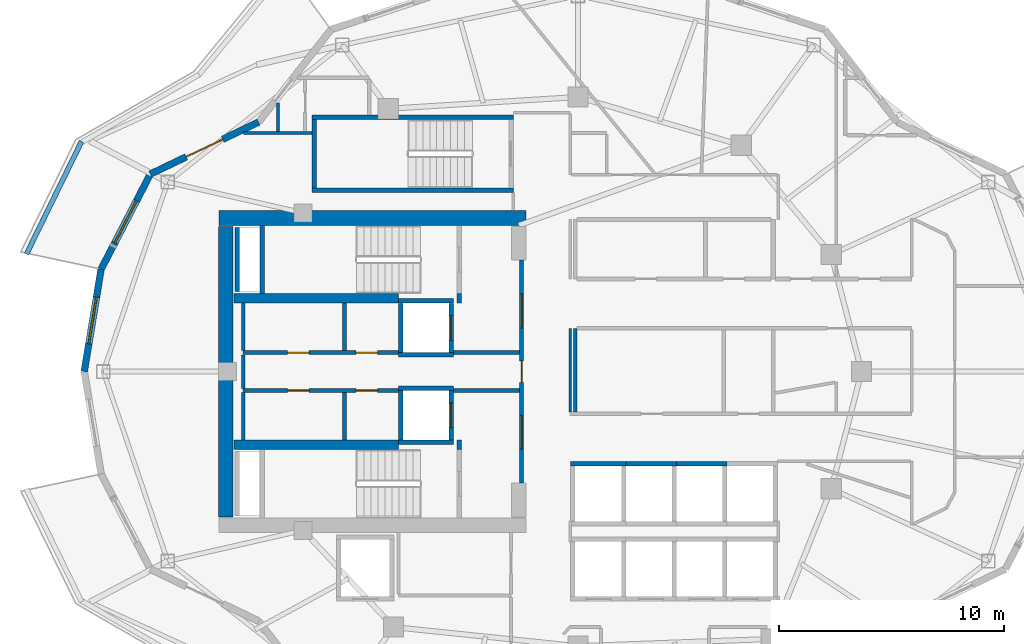
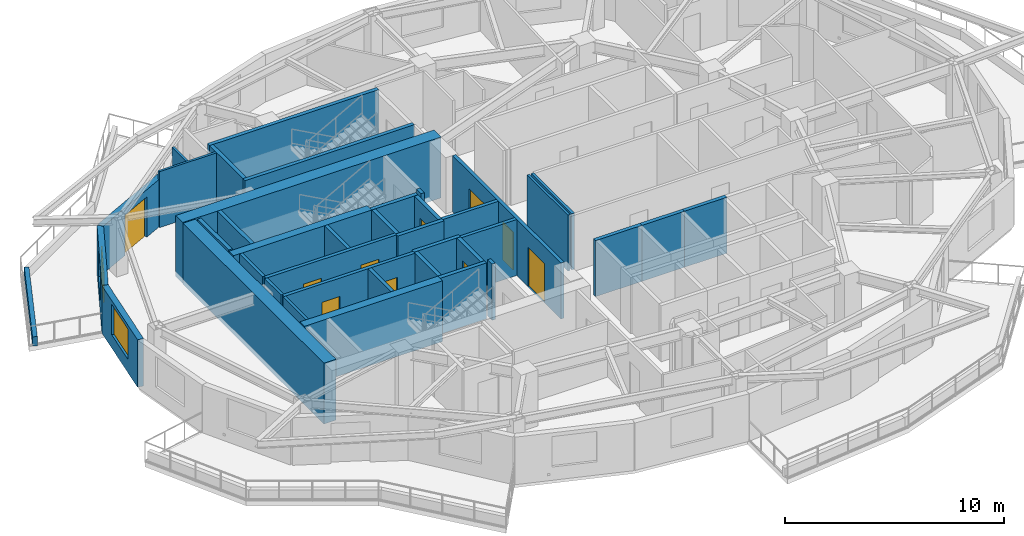
# One storey, part 4 of 12: 40 walls, 10 doors, 2 windows, 12 openings.
"""IFC4 building model written with IfcOpenShell, lengths in metres."""

from ifc_helpers import new_model, si_unit, direction, frame, frame_2d, origin, place, context, subcontext, project, spatial, rectangle, extrude, material, layer, layer_set, type_object, element, fill, save


model = new_model("IFC4")

# Units and contexts
model_context = context("Model", 3, precision=1e-05, world=origin(), true_north=direction((0.0, 1.0)))
body_context = subcontext(model_context, "Body", "Model", "MODEL_VIEW")
ifc_project = project(units=[si_unit("LENGTHUNIT", "METRE"), si_unit("AREAUNIT", "SQUARE_METRE"), si_unit("VOLUMEUNIT", "CUBIC_METRE"), si_unit("PLANEANGLEUNIT", "RADIAN"), si_unit("MASSUNIT", "GRAM", prefix="KILO")], contexts=[model_context])

# Site, building, storey
site_placement = place(None, origin())
site = spatial("IfcSite", under=ifc_project, at=site_placement, CompositionType="ELEMENT")
building_placement = place(site_placement, origin())
building = spatial("IfcBuilding", under=site, at=building_placement, Name="Kolvaren Gate Tower and Convention Centre", CompositionType="ELEMENT")
storey_placement = place(building_placement, frame((0.0, 0.0, 180.10009765625)))
storey = spatial("IfcBuildingStorey", under=building, at=storey_placement, Name="L47", CompositionType="ELEMENT", Elevation=180.10009765625)

# Walls
ifc_material_1 = material(Name="Autoclaved Aerated Masonry Blockwork Class 4 (4.0 MPa)", Category="masonry")
ifc_layer_1 = layer(ifc_material_1, 0.179931640625)
ifc_layer_set_1 = layer_set([ifc_layer_1], Name="Autoclaved Aerated Masonry Blockwork Class 4 (4.0 MPa)")
wall_type_1 = type_object("IfcWallType", Name="ARCH-WL-COMP-180", PredefinedType="SOLIDWALL", material=ifc_layer_set_1)
for number, where, z_axis, x_axis, name in (
    (1, (24.85009765625, 23.5400390625, 0.0), (0.0, 0.0, 1.0), (0.0, 1.0, 0.0), "Interior Partition WL-L47-INT-001"),
    (2, (24.85009765625, 30.0400390625, 0.0), (0.0, 0.0, 1.0), (0.0, 1.0, 0.0), "Interior Partition WL-L47-INT-002"),
):
    element("IfcWall", number, at=place(storey_placement, frame(where, z_axis=z_axis, x_axis=x_axis)), inside=storey, type_object=wall_type_1, Name=name, PredefinedType="SOLIDWALL", context=body_context, shape_type="SweptSolid", body=[
        extrude(rectangle(XDim=0.419921875, YDim=0.179931640625, at=frame_2d((0.2099609375, 0.0))), origin(), (0.0, 0.0, 1.0), 3.1298828125),
    ])

# Wall, openings, doors
wall_1_placement = place(storey_placement, frame((27.6201171875, 22.050048828125, 0.0), z_axis=(0.0, 0.0, 1.0), x_axis=(0.0, 1.0, 0.0)))
wall_1 = element("IfcWall", 3, at=wall_1_placement, inside=storey, type_object=wall_type_1, Name="Interior Partition WL-L47-INT-003", PredefinedType="SOLIDWALL", context=body_context, shape_type="SweptSolid", body=[
    extrude(rectangle(XDim=9.89990234375, YDim=0.179931640625, at=frame_2d((4.949951171875, 0.0))), origin(), (0.0, 0.0, 1.0), 3.1298828125),
])
opening_1_placement = place(wall_1_placement, frame((4.47509765625, 0.0, 0.0)))
opening_1 = element("IfcOpeningElement", 4, at=opening_1_placement, cuts=wall_1, Name="Opening DR-01", PredefinedType="OPENING", context=body_context, shape_type="SweptSolid", body=[
    extrude(rectangle(XDim=0.949951171875, YDim=2.10009765625, at=frame_2d((0.47509765625, 1.050048828125))), frame((0.0, 0.099853515625, 0.0), z_axis=(0.0, -1.0, 0.0), x_axis=(1.0, 0.0, 0.0)), (0.0, 0.0, 1.0), 0.199951171875),
])
opening_2_placement = place(wall_1_placement, frame((6.889892578125, 0.0, 0.0)))
opening_2 = element("IfcOpeningElement", 5, at=opening_2_placement, cuts=wall_1, Name="Opening DL-01", PredefinedType="OPENING", context=body_context, shape_type="SweptSolid", body=[
    extrude(rectangle(XDim=1.5, YDim=2.199951171875, at=frame_2d((0.75, 1.10009765625))), frame((0.0, 0.099853515625, 0.0), z_axis=(0.0, -1.0, 0.0), x_axis=(1.0, 0.0, 0.0)), (0.0, 0.0, 1.0), 0.199951171875),
])
opening_3_placement = place(wall_1_placement, frame((1.510009765625, 0.0, 0.0)))
opening_3 = element("IfcOpeningElement", 6, at=opening_3_placement, cuts=wall_1, Name="Opening DL-01", PredefinedType="OPENING", context=body_context, shape_type="SweptSolid", body=[
    extrude(rectangle(XDim=1.5, YDim=2.199951171875, at=frame_2d((0.75, 1.10009765625))), frame((0.0, 0.099853515625, 0.0), z_axis=(0.0, -1.0, 0.0), x_axis=(1.0, 0.0, 0.0)), (0.0, 0.0, 1.0), 0.199951171875),
])
ifc_material_2 = material(Name="Painted Architectural Steelwork ASTM A500 Grade C 345 MPa", Category="steel")
door_type_1 = type_object("IfcDoorType", Name="ARCH-DR-LOBBY-1500", OperationType="DOUBLE_DOOR_SINGLE_SWING", PredefinedType="DOOR", material=ifc_material_2)
door_1_placement = place(opening_2_placement, origin())
door_1 = element("IfcDoor", 7, at=door_1_placement, inside=storey, type_object=door_type_1, Name="North Firefighting Stair and Lift Lobby Door", OperationType="DOUBLE_DOOR_SINGLE_SWING", OverallHeight=2.199951171875, OverallWidth=1.5, PredefinedType="DOOR", context=body_context, shape_type="SweptSolid", body=[
    extrude(rectangle(XDim=1.5, YDim=2.199951171875, at=frame_2d((0.75, 1.10009765625))), frame((0.0, 0.02490234375, 0.0), z_axis=(0.0, -1.0, 0.0), x_axis=(1.0, 0.0, 0.0)), (0.0, 0.0, 1.0), 0.050048828125),
])
fill(opening_2, door_1)
door_2_placement = place(opening_3_placement, origin())
door_2 = element("IfcDoor", 8, at=door_2_placement, inside=storey, type_object=door_type_1, Name="South Firefighting Stair and Lift Lobby Door", OperationType="DOUBLE_DOOR_SINGLE_SWING", OverallHeight=2.199951171875, OverallWidth=1.5, PredefinedType="DOOR", context=body_context, shape_type="SweptSolid", body=[
    extrude(rectangle(XDim=1.5, YDim=2.199951171875, at=frame_2d((0.75, 1.10009765625))), frame((0.0, 0.02490234375, 0.0), z_axis=(0.0, -1.0, 0.0), x_axis=(1.0, 0.0, 0.0)), (0.0, 0.0, 1.0), 0.050048828125),
])
fill(opening_3, door_2)
door_type_2 = type_object("IfcDoorType", Name="ARCH-DR-RISER-950", OperationType="SINGLE_SWING_RIGHT", PredefinedType="DOOR", material=ifc_material_2)
door_3_placement = place(opening_1_placement, origin())
door_3 = element("IfcDoor", 9, at=door_3_placement, inside=storey, type_object=door_type_2, Name="Central MEP Service Corridor Door", OperationType="SINGLE_SWING_LEFT", OverallHeight=2.10009765625, OverallWidth=0.949951171875, PredefinedType="DOOR", context=body_context, shape_type="SweptSolid", body=[
    extrude(rectangle(XDim=0.949951171875, YDim=2.10009765625, at=frame_2d((0.47509765625, 1.050048828125))), frame((0.0, 0.02490234375, 0.0), z_axis=(0.0, -1.0, 0.0), x_axis=(1.0, 0.0, 0.0)), (0.0, 0.0, 1.0), 0.050048828125),
])
fill(opening_1, door_3)

wall_2_placement = place(storey_placement, frame((15.25, 27.840087890625, 0.0), z_axis=(0.0, 0.0, 1.0), x_axis=(1.0, 0.0, 0.0)))
wall_2 = element("IfcWall", 10, at=wall_2_placement, inside=storey, type_object=wall_type_1, Name="Interior Partition WL-L47-INT-004", PredefinedType="SOLIDWALL", context=body_context, shape_type="SweptSolid", body=[
    extrude(rectangle(XDim=6.89990234375, YDim=0.179931640625, at=frame_2d((3.449951171875, 0.0))), origin(), (0.0, 0.0, 1.0), 3.1298828125),
])
opening_4_placement = place(wall_2_placement, frame((5.02001953125, 0.0, 0.0)))
opening_4 = element("IfcOpeningElement", 11, at=opening_4_placement, cuts=wall_2, Name="Opening DR-01", PredefinedType="OPENING", context=body_context, shape_type="SweptSolid", body=[
    extrude(rectangle(XDim=0.949951171875, YDim=2.10009765625, at=frame_2d((0.47509765625, 1.050048828125))), frame((0.0, 0.099853515625, 0.0), z_axis=(0.0, -1.0, 0.0), x_axis=(1.0, 0.0, 0.0)), (0.0, 0.0, 1.0), 0.199951171875),
])
opening_5_placement = place(wall_2_placement, frame((1.97998046875, 0.0, 0.0)))
opening_5 = element("IfcOpeningElement", 12, at=opening_5_placement, cuts=wall_2, Name="Opening DR-01", PredefinedType="OPENING", context=body_context, shape_type="SweptSolid", body=[
    extrude(rectangle(XDim=0.949951171875, YDim=2.10009765625, at=frame_2d((0.47509765625, 1.050048828125))), frame((0.0, 0.099853515625, 0.0), z_axis=(0.0, -1.0, 0.0), x_axis=(1.0, 0.0, 0.0)), (0.0, 0.0, 1.0), 0.199951171875),
])
door_4_placement = place(opening_4_placement, origin())
door_4 = element("IfcDoor", 13, at=door_4_placement, inside=storey, type_object=door_type_2, Name="Electrical Switchgear Closet Door", OperationType="SINGLE_SWING_RIGHT", OverallHeight=2.10009765625, OverallWidth=0.949951171875, PredefinedType="DOOR", context=body_context, shape_type="SweptSolid", body=[
    extrude(rectangle(XDim=0.949951171875, YDim=2.10009765625, at=frame_2d((0.47509765625, 1.050048828125))), frame((0.0, 0.02490234375, 0.0), z_axis=(0.0, -1.0, 0.0), x_axis=(1.0, 0.0, 0.0)), (0.0, 0.0, 1.0), 0.050048828125),
])
fill(opening_4, door_4)
door_5_placement = place(opening_5_placement, origin())
door_5 = element("IfcDoor", 14, at=door_5_placement, inside=storey, type_object=door_type_2, Name="Staff Powder Washroom Door", OperationType="SINGLE_SWING_RIGHT", OverallHeight=2.10009765625, OverallWidth=0.949951171875, PredefinedType="DOOR", context=body_context, shape_type="SweptSolid", body=[
    extrude(rectangle(XDim=0.949951171875, YDim=2.10009765625, at=frame_2d((0.47509765625, 1.050048828125))), frame((0.0, 0.02490234375, 0.0), z_axis=(0.0, -1.0, 0.0), x_axis=(1.0, 0.0, 0.0)), (0.0, 0.0, 1.0), 0.050048828125),
])
fill(opening_5, door_5)

# Wall
wall_3_placement = place(storey_placement, frame((24.60009765625, 27.840087890625, 0.0), z_axis=(0.0, 0.0, 1.0), x_axis=(1.0, 0.0, 0.0)))
element("IfcWall", 15, at=wall_3_placement, inside=storey, type_object=wall_type_1, Name="Interior Partition WL-L47-INT-004 (2)", PredefinedType="SOLIDWALL", context=body_context, shape_type="SweptSolid", body=[
    extrude(rectangle(XDim=2.927978515625, YDim=0.179931640625, at=frame_2d((1.4638671875, 0.0))), origin(), (0.0, 0.0, 1.0), 3.1298828125),
])

# Wall, openings, doors
wall_4_placement = place(storey_placement, frame((15.25, 26.159912109375, 0.0), z_axis=(0.0, 0.0, 1.0), x_axis=(1.0, 0.0, 0.0)))
wall_4 = element("IfcWall", 16, at=wall_4_placement, inside=storey, type_object=wall_type_1, Name="Interior Partition WL-L47-INT-005", PredefinedType="SOLIDWALL", context=body_context, shape_type="SweptSolid", body=[
    extrude(rectangle(XDim=6.89990234375, YDim=0.179931640625, at=frame_2d((3.449951171875, 0.0))), origin(), (0.0, 0.0, 1.0), 3.1298828125),
])
opening_6_placement = place(wall_4_placement, frame((5.02001953125, 0.0, 0.0)))
opening_6 = element("IfcOpeningElement", 17, at=opening_6_placement, cuts=wall_4, Name="Opening DR-01", PredefinedType="OPENING", context=body_context, shape_type="SweptSolid", body=[
    extrude(rectangle(XDim=0.949951171875, YDim=2.10009765625, at=frame_2d((0.47509765625, 1.050048828125))), frame((0.0, 0.099853515625, 0.0), z_axis=(0.0, -1.0, 0.0), x_axis=(1.0, 0.0, 0.0)), (0.0, 0.0, 1.0), 0.199951171875),
])
opening_7_placement = place(wall_4_placement, frame((1.97998046875, 0.0, 0.0)))
opening_7 = element("IfcOpeningElement", 18, at=opening_7_placement, cuts=wall_4, Name="Opening DR-01", PredefinedType="OPENING", context=body_context, shape_type="SweptSolid", body=[
    extrude(rectangle(XDim=0.949951171875, YDim=2.10009765625, at=frame_2d((0.47509765625, 1.050048828125))), frame((0.0, 0.099853515625, 0.0), z_axis=(0.0, -1.0, 0.0), x_axis=(1.0, 0.0, 0.0)), (0.0, 0.0, 1.0), 0.199951171875),
])
door_6_placement = place(opening_6_placement, origin())
door_6 = element("IfcDoor", 19, at=door_6_placement, inside=storey, type_object=door_type_2, Name="Domestic Water Meter Closet Door", OperationType="SINGLE_SWING_LEFT", OverallHeight=2.10009765625, OverallWidth=0.949951171875, PredefinedType="DOOR", context=body_context, shape_type="SweptSolid", body=[
    extrude(rectangle(XDim=0.949951171875, YDim=2.10009765625, at=frame_2d((0.47509765625, 1.050048828125))), frame((0.0, 0.02490234375, 0.0), z_axis=(0.0, -1.0, 0.0), x_axis=(1.0, 0.0, 0.0)), (0.0, 0.0, 1.0), 0.050048828125),
])
fill(opening_6, door_6)
door_7_placement = place(opening_7_placement, origin())
door_7 = element("IfcDoor", 20, at=door_7_placement, inside=storey, type_object=door_type_2, Name="Janitor Equipment Store Door", OperationType="SINGLE_SWING_LEFT", OverallHeight=2.10009765625, OverallWidth=0.949951171875, PredefinedType="DOOR", context=body_context, shape_type="SweptSolid", body=[
    extrude(rectangle(XDim=0.949951171875, YDim=2.10009765625, at=frame_2d((0.47509765625, 1.050048828125))), frame((0.0, 0.02490234375, 0.0), z_axis=(0.0, -1.0, 0.0), x_axis=(1.0, 0.0, 0.0)), (0.0, 0.0, 1.0), 0.050048828125),
])
fill(opening_7, door_7)

# Walls
wall_5_placement = place(storey_placement, frame((24.60009765625, 26.159912109375, 0.0), z_axis=(0.0, 0.0, 1.0), x_axis=(1.0, 0.0, 0.0)))
element("IfcWall", 21, at=wall_5_placement, inside=storey, type_object=wall_type_1, Name="Interior Partition WL-L47-INT-005 (2)", PredefinedType="SOLIDWALL", context=body_context, shape_type="SweptSolid", body=[
    extrude(rectangle(XDim=2.927978515625, YDim=0.179931640625, at=frame_2d((1.4638671875, 0.0))), origin(), (0.0, 0.0, 1.0), 3.1298828125),
])
for number, where, z_axis, x_axis, name in (
    (22, (19.75, 23.9619140625, 0.0), (0.0, 0.0, 1.0), (0.0, 1.0, 0.0), "Interior Partition WL-L47-INT-007"),
    (23, (19.75, 27.931884765625, 0.0), (0.0, 0.0, 1.0), (0.0, 1.0, 0.0), "Interior Partition WL-L47-INT-008"),
):
    element("IfcWall", number, at=place(storey_placement, frame(where, z_axis=z_axis, x_axis=x_axis)), inside=storey, type_object=wall_type_1, Name=name, PredefinedType="SOLIDWALL", context=body_context, shape_type="SweptSolid", body=[
        extrude(rectangle(XDim=2.106201171875, YDim=0.179931640625, at=frame_2d((1.05322265625, 0.0))), origin(), (0.0, 0.0, 1.0), 3.1298828125),
    ])
ifc_material_3 = material(Name="Fire-Rated Acoustic Gypsum Stud Partition", Category="gypsum")
ifc_layer_2 = layer(ifc_material_3, 0.1201171875)
ifc_layer_set_2 = layer_set([ifc_layer_2], Name="Fire-Rated Acoustic Gypsum Stud Partition")
wall_type_2 = type_object("IfcWallType", Name="ARCH-WL-PART-120", PredefinedType="PARTITIONING", material=ifc_layer_set_2)
wall_6_placement = place(storey_placement, frame((29.780029296875, 25.197021484375, 0.0), z_axis=(0.0, 0.0, 1.0), x_axis=(0.0, 1.0, 0.0)))
element("IfcWall", 24, at=wall_6_placement, inside=storey, type_object=wall_type_2, Name="Interior Partition WL-L47-INT-032", PredefinedType="PARTITIONING", context=body_context, shape_type="SweptSolid", body=[
    extrude(rectangle(XDim=3.722900390625, YDim=0.1201171875, at=frame_2d((1.861328125, 0.0))), origin(), (0.0, 0.0, 1.0), 3.1298828125),
])
wall_7_placement = place(storey_placement, frame((15.27587890625, 37.60009765625, 0.0), z_axis=(0.0, 0.0, 1.0), x_axis=(1.0, 0.0, 0.0)))
element("IfcWall", 25, at=wall_7_placement, inside=storey, type_object=wall_type_2, Name="Interior Partition WL-L47-INT-049", PredefinedType="PARTITIONING", context=body_context, shape_type="SweptSolid", body=[
    extrude(rectangle(XDim=3.022216796875, YDim=0.1201171875, at=frame_2d((1.51123046875, 0.0))), origin(), (0.0, 0.0, 1.0), 3.1298828125),
])
wall_8_placement = place(storey_placement, frame((16.800048828125, 37.662109375, 0.0), z_axis=(0.0, 0.0, 1.0), x_axis=(0.0, 1.0, 0.0)))
element("IfcWall", 26, at=wall_8_placement, inside=storey, type_object=wall_type_2, Name="Interior Partition WL-L47-INT-067", PredefinedType="PARTITIONING", context=body_context, shape_type="SweptSolid", body=[
    extrude(rectangle(XDim=1.2802734375, YDim=0.1201171875, at=frame_2d((0.64013671875, 0.0))), origin(), (0.0, 0.0, 1.0), 3.1298828125),
])
ifc_material_4 = material(Name="Piedmont Cream Honed Limestone Cladding", Category="masonry")
ifc_layer_3 = layer(ifc_material_4, 0.219970703125)
ifc_layer_set_3 = layer_set([ifc_layer_3], Name="Piedmont Cream Honed Limestone Cladding")
wall_type_3 = type_object("IfcWallType", Name="ARCH-WL-PLANTER-220", PredefinedType="PARAPET", material=ifc_layer_set_3)
wall_9_placement = place(storey_placement, frame((5.6220703125, 32.22119140625, 0.0), z_axis=(0.0, 0.0, 1.0), x_axis=(0.439637174641, 0.898175458735, 0.0)))
element("IfcWall", 27, at=wall_9_placement, inside=storey, type_object=wall_type_3, Name="Vertical-Forest Balcony Stone Planter Kerb PK-L47-1.3", PredefinedType="PARAPET", context=body_context, shape_type="SweptSolid", body=[
    extrude(rectangle(XDim=5.567138671875, YDim=0.219970703125, at=frame_2d((2.78369140625, 0.0))), origin(), (0.0, 0.0, 1.0), 0.52001953125),
])
ifc_layer_4 = layer(ifc_material_1, 0.199951171875)
ifc_layer_set_4 = layer_set([ifc_layer_4], Name="Autoclaved Aerated Masonry Blockwork Class 4 (4.0 MPa)")
wall_type_4 = type_object("IfcWallType", Name="ARCH-WL-SHAFT-200", PredefinedType="SOLIDWALL", material=ifc_layer_set_4)
for number, where, z_axis, x_axis, name in (
    (28, (22.14990234375, 30.139892578125, 0.0), (0.0, 0.0, 1.0), (1.0, 0.0, 0.0), "Elevator FF-01 L47 Fire Shaft Wall N"),
    (29, (22.14990234375, 27.739990234375, 0.0), (0.0, 0.0, 1.0), (1.0, 0.0, 0.0), "Elevator FF-01 L47 Fire Shaft Wall S"),
):
    element("IfcWall", number, at=place(storey_placement, frame(where, z_axis=z_axis, x_axis=x_axis)), inside=storey, type_object=wall_type_4, Name=name, PredefinedType="SOLIDWALL", context=body_context, shape_type="SweptSolid", body=[
        extrude(rectangle(XDim=2.4501953125, YDim=0.199951171875, at=frame_2d((1.22509765625, 0.0))), origin(), (0.0, 0.0, 1.0), 3.1298828125),
    ])
wall_10_placement = place(storey_placement, frame((22.25, 27.85009765625, 0.0), z_axis=(0.0, 0.0, 1.0), x_axis=(0.0, 1.0, 0.0)))
element("IfcWall", 30, at=wall_10_placement, inside=storey, type_object=wall_type_4, Name="Elevator FF-01 L47 Fire Shaft Wall W", PredefinedType="SOLIDWALL", context=body_context, shape_type="SweptSolid", body=[
    extrude(rectangle(XDim=2.179931640625, YDim=0.199951171875, at=frame_2d((1.08984375, 0.0))), origin(), (0.0, 0.0, 1.0), 3.1298828125),
])

# Wall, opening, door
wall_11_placement = place(storey_placement, frame((24.5, 27.85009765625, 0.0), z_axis=(0.0, 0.0, 1.0), x_axis=(0.0, 1.0, 0.0)))
wall_11 = element("IfcWall", 31, at=wall_11_placement, inside=storey, type_object=wall_type_4, Name="Elevator FF-01 L47 Fire Shaft Wall E", PredefinedType="SOLIDWALL", context=body_context, shape_type="SweptSolid", body=[
    extrude(rectangle(XDim=2.179931640625, YDim=0.199951171875, at=frame_2d((1.08984375, 0.0))), origin(), (0.0, 0.0, 1.0), 3.1298828125),
])
opening_8_placement = place(wall_11_placement, frame((0.5400390625, 0.0, 0.0)))
opening_8 = element("IfcOpeningElement", 32, at=opening_8_placement, cuts=wall_11, Name="Opening LD", PredefinedType="OPENING", context=body_context, shape_type="SweptSolid", body=[
    extrude(rectangle(XDim=1.10009765625, YDim=2.199951171875, at=frame_2d((0.550048828125, 1.10009765625))), frame((0.0, 0.10986328125, 0.0), z_axis=(0.0, -1.0, 0.0), x_axis=(1.0, 0.0, 0.0)), (0.0, 0.0, 1.0), 0.219970703125),
])
ifc_material_5 = material(Name="Brushed Stainless Steel Grade 316L", Category="steel")
door_type_3 = type_object("IfcDoorType", Name="ARCH-DR-LIFT-1100", OperationType="SLIDING_TO_LEFT", PredefinedType="DOOR", material=ifc_material_5)
door_8_placement = place(opening_8_placement, origin())
door_8 = element("IfcDoor", 33, at=door_8_placement, inside=storey, type_object=door_type_3, Name="Elevator FF-01 L47 Sliding Landing Door", OperationType="SLIDING_TO_LEFT", OverallHeight=2.199951171875, OverallWidth=1.10009765625, PredefinedType="DOOR", context=body_context, shape_type="SweptSolid", body=[
    extrude(rectangle(XDim=1.10009765625, YDim=2.199951171875, at=frame_2d((0.550048828125, 1.10009765625))), frame((0.0, 0.02490234375, 0.0), z_axis=(0.0, -1.0, 0.0), x_axis=(1.0, 0.0, 0.0)), (0.0, 0.0, 1.0), 0.050048828125),
])
fill(opening_8, door_8)

# Walls
for number, where, z_axis, x_axis, name in (
    (34, (22.14990234375, 26.260009765625, 0.0), (0.0, 0.0, 1.0), (1.0, 0.0, 0.0), "Elevator FF-02 L47 Fire Shaft Wall N"),
    (35, (22.14990234375, 23.860107421875, 0.0), (0.0, 0.0, 1.0), (1.0, 0.0, 0.0), "Elevator FF-02 L47 Fire Shaft Wall S"),
):
    element("IfcWall", number, at=place(storey_placement, frame(where, z_axis=z_axis, x_axis=x_axis)), inside=storey, type_object=wall_type_4, Name=name, PredefinedType="SOLIDWALL", context=body_context, shape_type="SweptSolid", body=[
        extrude(rectangle(XDim=2.4501953125, YDim=0.199951171875, at=frame_2d((1.22509765625, 0.0))), origin(), (0.0, 0.0, 1.0), 3.1298828125),
    ])
wall_12_placement = place(storey_placement, frame((22.25, 23.969970703125, 0.0), z_axis=(0.0, 0.0, 1.0), x_axis=(0.0, 1.0, 0.0)))
element("IfcWall", 36, at=wall_12_placement, inside=storey, type_object=wall_type_4, Name="Elevator FF-02 L47 Fire Shaft Wall W", PredefinedType="SOLIDWALL", context=body_context, shape_type="SweptSolid", body=[
    extrude(rectangle(XDim=2.179931640625, YDim=0.199951171875, at=frame_2d((1.08984375, 0.0))), origin(), (0.0, 0.0, 1.0), 3.1298828125),
])

# Wall, opening, door
wall_13_placement = place(storey_placement, frame((24.5, 23.969970703125, 0.0), z_axis=(0.0, 0.0, 1.0), x_axis=(0.0, 1.0, 0.0)))
wall_13 = element("IfcWall", 37, at=wall_13_placement, inside=storey, type_object=wall_type_4, Name="Elevator FF-02 L47 Fire Shaft Wall E", PredefinedType="SOLIDWALL", context=body_context, shape_type="SweptSolid", body=[
    extrude(rectangle(XDim=2.179931640625, YDim=0.199951171875, at=frame_2d((1.08984375, 0.0))), origin(), (0.0, 0.0, 1.0), 3.1298828125),
])
opening_9_placement = place(wall_13_placement, frame((0.5400390625, 0.0, 0.0)))
opening_9 = element("IfcOpeningElement", 38, at=opening_9_placement, cuts=wall_13, Name="Opening LD", PredefinedType="OPENING", context=body_context, shape_type="SweptSolid", body=[
    extrude(rectangle(XDim=1.10009765625, YDim=2.199951171875, at=frame_2d((0.550048828125, 1.10009765625))), frame((0.0, 0.10986328125, 0.0), z_axis=(0.0, -1.0, 0.0), x_axis=(1.0, 0.0, 0.0)), (0.0, 0.0, 1.0), 0.219970703125),
])
door_9_placement = place(opening_9_placement, origin())
door_9 = element("IfcDoor", 39, at=door_9_placement, inside=storey, type_object=door_type_3, Name="Elevator FF-02 L47 Sliding Landing Door", OperationType="SLIDING_TO_LEFT", OverallHeight=2.199951171875, OverallWidth=1.10009765625, PredefinedType="DOOR", context=body_context, shape_type="SweptSolid", body=[
    extrude(rectangle(XDim=1.10009765625, YDim=2.199951171875, at=frame_2d((0.550048828125, 1.10009765625))), frame((0.0, 0.02490234375, 0.0), z_axis=(0.0, -1.0, 0.0), x_axis=(1.0, 0.0, 0.0)), (0.0, 0.0, 1.0), 0.050048828125),
])
fill(opening_9, door_9)

# Walls
wall_14_placement = place(storey_placement, frame((29.800048828125, 22.89990234375, 0.0), z_axis=(0.0, 0.0, 1.0), x_axis=(1.0, 0.0, 0.0)))
element("IfcWall", 40, at=wall_14_placement, inside=storey, type_object=wall_type_4, Name="Elevator PL-09 L47 Fire Shaft Wall N", PredefinedType="SOLIDWALL", context=body_context, shape_type="SweptSolid", body=[
    extrude(rectangle(XDim=2.449951171875, YDim=0.199951171875, at=frame_2d((1.22509765625, 0.0))), origin(), (0.0, 0.0, 1.0), 3.1298828125),
])
for number, where, z_axis, x_axis, name in (
    (41, (32.25, 22.89990234375, 0.0), (0.0, 0.0, 1.0), (1.0, 0.0, 0.0), "Elevator PL-10 L47 Fire Shaft Wall N"),
    (42, (34.5, 22.89990234375, 0.0), (0.0, 0.0, 1.0), (1.0, 0.0, 0.0), "Elevator PL-11 L47 Fire Shaft Wall N"),
):
    element("IfcWall", number, at=place(storey_placement, frame(where, z_axis=z_axis, x_axis=x_axis)), inside=storey, type_object=wall_type_4, Name=name, PredefinedType="SOLIDWALL", context=body_context, shape_type="SweptSolid", body=[
        extrude(rectangle(XDim=2.25, YDim=0.199951171875, at=frame_2d((1.125, 0.0))), origin(), (0.0, 0.0, 1.0), 3.1298828125),
    ])
wall_15_placement = place(storey_placement, frame((14.989990234375, 30.550048828125, 0.0), z_axis=(0.0, 0.0, 1.0), x_axis=(0.0, 1.0, 0.0)))
element("IfcWall", 43, at=wall_15_placement, inside=storey, type_object=wall_type_4, Name="Vertical Shaft HVR L47 EI-120 Enclosure Wall W", PredefinedType="SOLIDWALL", context=body_context, shape_type="SweptSolid", body=[
    extrude(rectangle(XDim=2.849853515625, YDim=0.199951171875, at=frame_2d((1.4248046875, 0.0))), origin(), (0.0, 0.0, 1.0), 3.1298828125),
])

# Wall, opening, door
ifc_layer_5 = layer(ifc_material_4, 0.300048828125)
ifc_layer_set_5 = layer_set([ifc_layer_5], Name="Piedmont Cream Honed Limestone Cladding")
wall_type_5 = type_object("IfcWallType", Name="ARCH-WL-STONE-300", PredefinedType="SOLIDWALL", material=ifc_layer_set_5)
wall_16_placement = place(storey_placement, frame((11.126708984375, 35.77490234375, 0.0), z_axis=(0.0, 0.0, 1.0), x_axis=(0.901353070301, 0.433085029363, 0.0)))
wall_16 = element("IfcWall", 44, at=wall_16_placement, inside=storey, type_object=wall_type_5, Name="Tower L47 Honed Stone Spandrel Wall EW-09", PredefinedType="SOLIDWALL", context=body_context, shape_type="SweptSolid", body=[
    extrude(rectangle(XDim=5.336181640625, YDim=0.300048828125, at=frame_2d((2.66796875, 0.0))), origin(), (0.0, 0.0, 1.0), 2.65283203125),
])
opening_10_placement = place(wall_16_placement, frame((1.76806640625, 0.0, 0.0)))
opening_10 = element("IfcOpeningElement", 45, at=opening_10_placement, cuts=wall_16, Name="Opening DB-01", PredefinedType="OPENING", context=body_context, shape_type="SweptSolid", body=[
    extrude(rectangle(XDim=1.800048828125, YDim=2.25, at=frame_2d((0.89990234375, 1.125))), frame((0.0, 0.159912109375, 0.0), z_axis=(0.0, -1.0, 0.0), x_axis=(1.0, 0.0, 0.0)), (0.0, 0.0, 1.0), 0.320068359375),
])
ifc_material_6 = material(Name="Anodized Architectural Aluminium Alloy 6063-T6", Category="aluminium")
door_type_4 = type_object("IfcDoorType", Name="ARCH-DR-BALC-1800", OperationType="SLIDING_TO_LEFT", PredefinedType="DOOR", material=ifc_material_6)
door_10_placement = place(opening_10_placement, origin())
door_10 = element("IfcDoor", 46, at=door_10_placement, inside=storey, type_object=door_type_4, Name="Planted Sky Terrace Access Door DB-L47-09", OperationType="SLIDING_TO_LEFT", OverallHeight=2.25, OverallWidth=1.800048828125, PredefinedType="DOOR", context=body_context, shape_type="SweptSolid", body=[
    extrude(rectangle(XDim=1.800048828125, YDim=2.25, at=frame_2d((0.89990234375, 1.125))), frame((0.0, 0.02490234375, 0.0), z_axis=(0.0, -1.0, 0.0), x_axis=(1.0, 0.0, 0.0)), (0.0, 0.0, 1.0), 0.050048828125),
])
fill(opening_10, door_10)

# Wall, opening, window
wall_17_placement = place(storey_placement, frame((8.93505859375, 31.542236328125, 0.0), z_axis=(0.0, 0.0, 1.0), x_axis=(0.459810251451, 0.888017191647, 0.0)))
wall_17 = element("IfcWall", 47, at=wall_17_placement, inside=storey, type_object=wall_type_5, Name="Tower L47 Honed Stone Spandrel Wall EW-10", PredefinedType="SOLIDWALL", context=body_context, shape_type="SweptSolid", body=[
    extrude(rectangle(XDim=4.766357421875, YDim=0.300048828125, at=frame_2d((2.38330078125, 0.0))), origin(), (0.0, 0.0, 1.0), 2.65283203125),
])
opening_11_placement = place(wall_17_placement, frame((1.3330078125, 0.0, 0.739990234375)))
opening_11 = element("IfcOpeningElement", 48, at=opening_11_placement, cuts=wall_17, Name="Opening W-02", PredefinedType="OPENING", context=body_context, shape_type="SweptSolid", body=[
    extrude(rectangle(XDim=2.10009765625, YDim=1.699951171875, at=frame_2d((1.050048828125, 0.85009765625))), frame((0.0, 0.159912109375, 0.0), z_axis=(0.0, -1.0, 0.0), x_axis=(1.0, 0.0, 0.0)), (0.0, 0.0, 1.0), 0.320068359375),
])
ifc_material_7 = material(Name="Low-E Triple Insulated Glazing Unit 44 mm", Category="glass")
window_type = type_object("IfcWindowType", Name="ARCH-WN-HTL-2100", PartitioningType="SINGLE_PANEL", PredefinedType="WINDOW", material=ifc_material_7)
window_1_placement = place(opening_11_placement, origin())
window_1 = element("IfcWindow", 49, at=window_1_placement, inside=storey, type_object=window_type, Name="Tower L47 Punched Stone Facade Window W-10", OverallHeight=1.699951171875, OverallWidth=2.10009765625, PartitioningType="SINGLE_PANEL", PredefinedType="WINDOW", context=body_context, shape_type="SweptSolid", body=[
    extrude(rectangle(XDim=2.10009765625, YDim=1.699951171875, at=frame_2d((1.050048828125, 0.85009765625))), frame((0.0, 0.030029296875, 0.0), z_axis=(0.0, -1.0, 0.0), x_axis=(1.0, 0.0, 0.0)), (0.0, 0.0, 1.0), 0.06005859375),
])
fill(opening_11, window_1)

wall_18_placement = place(storey_placement, frame((8.1875, 27.0, 0.0), z_axis=(0.0, 0.0, 1.0), x_axis=(0.162394765401, 0.986725868806, 0.0)))
wall_18 = element("IfcWall", 50, at=wall_18_placement, inside=storey, type_object=wall_type_5, Name="Tower L47 Honed Stone Spandrel Wall EW-11", PredefinedType="SOLIDWALL", context=body_context, shape_type="SweptSolid", body=[
    extrude(rectangle(XDim=4.603271484375, YDim=0.300048828125, at=frame_2d((2.3017578125, 0.0))), origin(), (0.0, 0.0, 1.0), 2.65283203125),
])
opening_12_placement = place(wall_18_placement, frame((1.251953125, 0.0, 0.739990234375)))
opening_12 = element("IfcOpeningElement", 51, at=opening_12_placement, cuts=wall_18, Name="Opening W-02", PredefinedType="OPENING", context=body_context, shape_type="SweptSolid", body=[
    extrude(rectangle(XDim=2.10009765625, YDim=1.699951171875, at=frame_2d((1.050048828125, 0.85009765625))), frame((0.0, 0.159912109375, 0.0), z_axis=(0.0, -1.0, 0.0), x_axis=(1.0, 0.0, 0.0)), (0.0, 0.0, 1.0), 0.320068359375),
])
window_2_placement = place(opening_12_placement, origin())
window_2 = element("IfcWindow", 52, at=window_2_placement, inside=storey, type_object=window_type, Name="Tower L47 Punched Stone Facade Window W-11", OverallHeight=1.699951171875, OverallWidth=2.10009765625, PartitioningType="SINGLE_PANEL", PredefinedType="WINDOW", context=body_context, shape_type="SweptSolid", body=[
    extrude(rectangle(XDim=2.10009765625, YDim=1.699951171875, at=frame_2d((1.050048828125, 0.85009765625))), frame((0.0, 0.030029296875, 0.0), z_axis=(0.0, -1.0, 0.0), x_axis=(1.0, 0.0, 0.0)), (0.0, 0.0, 1.0), 0.06005859375),
])
fill(opening_12, window_2)

# Walls
ifc_material_8 = material(Name="Moisture-Resistant Cement-Board Acoustic Partition", Category="gypsum")
ifc_layer_6 = layer(ifc_material_8, 0.14990234375)
ifc_layer_set_6 = layer_set([ifc_layer_6], Name="Moisture-Resistant Cement-Board Acoustic Partition")
wall_type_6 = type_object("IfcWallType", Name="ARCH-WL-WET-150", PredefinedType="PARTITIONING", material=ifc_layer_set_6)
wall_19_placement = place(storey_placement, frame((15.25, 23.9619140625, 0.0), z_axis=(0.0, 0.0, 1.0), x_axis=(0.0, 1.0, 0.0)))
element("IfcWall", 53, at=wall_19_placement, inside=storey, type_object=wall_type_6, Name="Interior Partition WL-L47-INT-006", PredefinedType="PARTITIONING", context=body_context, shape_type="SweptSolid", body=[
    extrude(rectangle(XDim=2.106201171875, YDim=0.14990234375, at=frame_2d((1.05322265625, 0.0))), origin(), (0.0, 0.0, 1.0), 3.1298828125),
])
wall_20_placement = place(storey_placement, frame((15.25, 26.251953125, 0.0), z_axis=(0.0, 0.0, 1.0), x_axis=(0.0, 1.0, 0.0)))
element("IfcWall", 54, at=wall_20_placement, inside=storey, type_object=wall_type_6, Name="Interior Partition WL-L47-INT-006 (2)", PredefinedType="PARTITIONING", context=body_context, shape_type="SweptSolid", body=[
    extrude(rectangle(XDim=1.49609375, YDim=0.14990234375, at=frame_2d((0.748046875, 0.0))), origin(), (0.0, 0.0, 1.0), 3.1298828125),
])
wall_21_placement = place(storey_placement, frame((15.25, 27.931884765625, 0.0), z_axis=(0.0, 0.0, 1.0), x_axis=(0.0, 1.0, 0.0)))
element("IfcWall", 55, at=wall_21_placement, inside=storey, type_object=wall_type_6, Name="Interior Partition WL-L47-INT-006 (3)", PredefinedType="PARTITIONING", context=body_context, shape_type="SweptSolid", body=[
    extrude(rectangle(XDim=2.106201171875, YDim=0.14990234375, at=frame_2d((1.05322265625, 0.0))), origin(), (0.0, 0.0, 1.0), 3.1298828125),
])
wall_22_placement = place(storey_placement, frame((30.0, 25.197021484375, 0.0), z_axis=(0.0, 0.0, 1.0), x_axis=(0.0, 1.0, 0.0)))
element("IfcWall", 56, at=wall_22_placement, inside=storey, type_object=wall_type_6, Name="Interior Partition WL-L47-INT-013", PredefinedType="PARTITIONING", context=body_context, shape_type="SweptSolid", body=[
    extrude(rectangle(XDim=3.722900390625, YDim=0.14990234375, at=frame_2d((1.861328125, 0.0))), origin(), (0.0, 0.0, 1.0), 3.1298828125),
])
ifc_material_9 = material(Name="Concrete C50/60", Category="concrete")
ifc_layer_7 = layer(ifc_material_9, 0.419921875)
ifc_layer_set_7 = layer_set([ifc_layer_7], Name="Concrete C50/60")
wall_type_7 = type_object("IfcWallType", Name="STR-WL-CONV-420", PredefinedType="SHEAR", material=ifc_layer_set_7)
for number, where, z_axis, x_axis, name in (
    (57, (14.85009765625, 30.25, -0.27001953125), (0.0, 0.0, 1.0), (1.0, 0.0, 0.0), "Tower L47 Offset Core Shear Wall WN"),
    (58, (14.85009765625, 23.75, -0.27001953125), (0.0, 0.0, 1.0), (1.0, 0.0, 0.0), "Tower L47 Offset Core Shear Wall WS"),
):
    element("IfcWall", number, at=place(storey_placement, frame(where, z_axis=z_axis, x_axis=x_axis)), inside=storey, type_object=wall_type_7, Name=name, PredefinedType="SHEAR", context=body_context, shape_type="SweptSolid", body=[
        extrude(rectangle(XDim=7.2998046875, YDim=0.419921875, at=frame_2d((3.64990234375, 0.0))), origin(), (0.0, 0.0, 1.0), 3.39990234375),
    ])
ifc_material_10 = material(Name="Concrete C60/75", Category="concrete")
ifc_layer_8 = layer(ifc_material_10, 0.64990234375)
ifc_layer_set_8 = layer_set([ifc_layer_8], Name="Concrete C60/75")
wall_type_8 = type_object("IfcWallType", Name="STR-WL-CORE-650", PredefinedType="SHEAR", material=ifc_layer_set_8)
wall_23_placement = place(storey_placement, frame((14.175048828125, 33.824951171875, -0.27001953125), z_axis=(0.0, 0.0, 1.0), x_axis=(1.0, 0.0, 0.0)))
element("IfcWall", 59, at=wall_23_placement, inside=storey, type_object=wall_type_8, Name="Tower L47 Offset Core Shear Wall N", PredefinedType="SHEAR", context=body_context, shape_type="SweptSolid", body=[
    extrude(rectangle(XDim=13.64990234375, YDim=0.64990234375, at=frame_2d((6.824951171875, 0.0))), origin(), (0.0, 0.0, 1.0), 3.39990234375),
])
wall_24_placement = place(storey_placement, frame((14.47509765625, 20.550048828125, -0.27001953125), z_axis=(0.0, 0.0, 1.0), x_axis=(0.0, 1.0, 0.0)))
element("IfcWall", 60, at=wall_24_placement, inside=storey, type_object=wall_type_8, Name="Tower L47 Offset Core Shear Wall W", PredefinedType="SHEAR", context=body_context, shape_type="SweptSolid", body=[
    extrude(rectangle(XDim=12.89990234375, YDim=0.64990234375, at=frame_2d((6.449951171875, 0.0))), origin(), (0.0, 0.0, 1.0), 3.39990234375),
])
ifc_layer_9 = layer(ifc_material_9, 0.199951171875)
ifc_layer_set_9 = layer_set([ifc_layer_9], Name="Concrete C50/60")
wall_type_9 = type_object("IfcWallType", Name="STR-WL-SHAFT-200", PredefinedType="SHEAR", material=ifc_layer_set_9)
wall_25_placement = place(storey_placement, frame((16.10009765625, 30.4619140625, -0.27001953125), z_axis=(0.0, 0.0, 1.0), x_axis=(0.0, 1.0, 0.0)))
element("IfcWall", 61, at=wall_25_placement, inside=storey, type_object=wall_type_9, Name="Tower North Exit Stair ST-T1 L47 Structural Shear Enclosure Wall FAR", PredefinedType="SHEAR", context=body_context, shape_type="SweptSolid", body=[
    extrude(rectangle(XDim=3.0361328125, YDim=0.199951171875, at=frame_2d((1.51806640625, 0.0))), origin(), (0.0, 0.0, 1.0), 3.39990234375),
])
wall_26_placement = place(storey_placement, frame((18.39990234375, 35.159912109375, -0.27001953125), z_axis=(0.0, 0.0, 1.0), x_axis=(0.0, 1.0, 0.0)))
element("IfcWall", 62, at=wall_26_placement, inside=storey, type_object=wall_type_9, Name="Tower Mid-Zone Exit Stair ST-T3 L47 Structural Shear Enclosure Wall FAR", PredefinedType="SHEAR", context=body_context, shape_type="SweptSolid", body=[
    extrude(rectangle(XDim=3.0400390625, YDim=0.199951171875, at=frame_2d((1.52001953125, 0.0))), origin(), (0.0, 0.0, 1.0), 3.39990234375),
])
for number, where, z_axis, x_axis, name in (
    (63, (18.300048828125, 38.300048828125, -0.27001953125), (0.0, 0.0, 1.0), (1.0, 0.0, 0.0), "Tower Mid-Zone Exit Stair ST-T3 L47 Structural Shear Enclosure Wall LEFT"),
    (64, (18.300048828125, 35.06005859375, -0.27001953125), (0.0, 0.0, 1.0), (1.0, 0.0, 0.0), "Tower Mid-Zone Exit Stair ST-T3 L47 Structural Shear Enclosure Wall RGHT"),
):
    element("IfcWall", number, at=place(storey_placement, frame(where, z_axis=z_axis, x_axis=x_axis)), inside=storey, type_object=wall_type_9, Name=name, PredefinedType="SHEAR", context=body_context, shape_type="SweptSolid", body=[
        extrude(rectangle(XDim=8.949951171875, YDim=0.199951171875, at=frame_2d((4.47509765625, 0.0))), origin(), (0.0, 0.0, 1.0), 3.39990234375),
    ])

save(model, "model.ifc")
